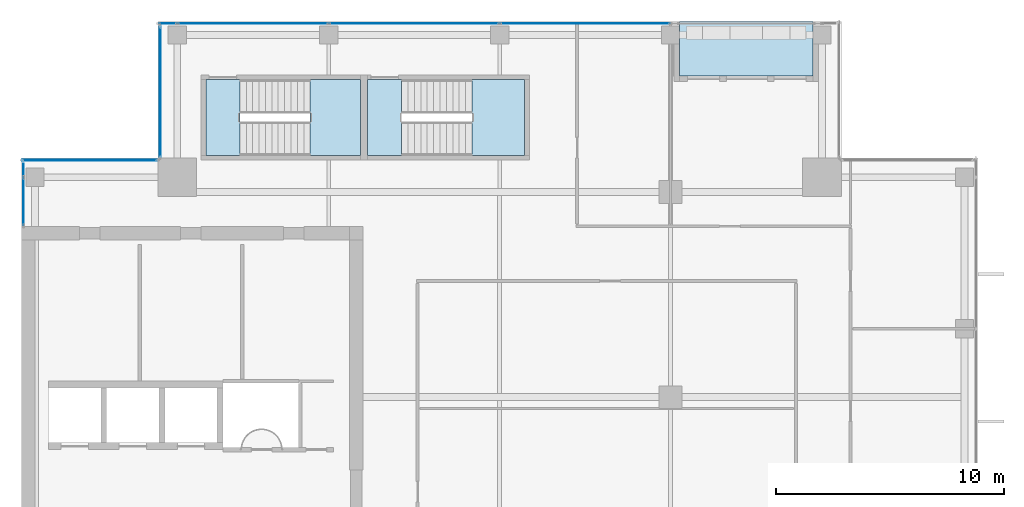
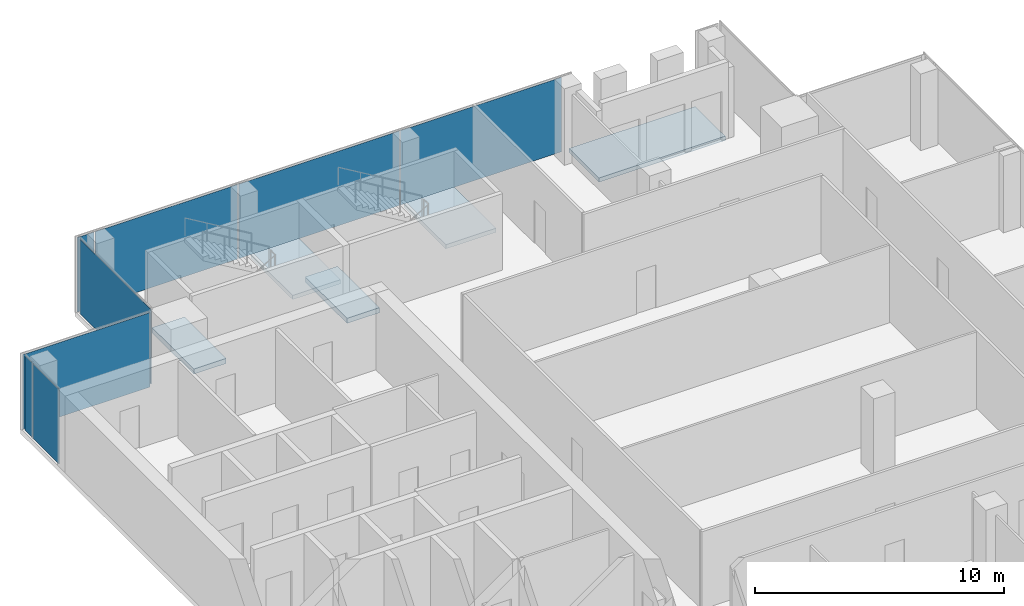
# One storey, part 22 of 29: 8 plates, 5 slabs, 6 elements without a shape of their own.
"""IFC4 building model written with IfcOpenShell, lengths in metres."""

from ifc_helpers import new_model, si_unit, direction, frame, origin, origin_2d, place, context, subcontext, project, spatial, polyline, rectangle, outline, extrude, source, transform, mapped, material, layer, layer_set, type_object, element, aggregate, save


model = new_model("IFC4")

# Units and contexts
model_context = context("Model", 3, precision=1e-05, world=origin(), true_north=direction((0.0, 1.0)))
body_context = subcontext(model_context, "Body", "Model", "MODEL_VIEW")
ifc_project = project(units=[si_unit("LENGTHUNIT", "METRE"), si_unit("AREAUNIT", "SQUARE_METRE"), si_unit("VOLUMEUNIT", "CUBIC_METRE"), si_unit("PLANEANGLEUNIT", "RADIAN"), si_unit("MASSUNIT", "GRAM", prefix="KILO")], contexts=[model_context])

# Site, building, storey
site_placement = place(None, origin())
site = spatial("IfcSite", under=ifc_project, at=site_placement, CompositionType="ELEMENT")
building_placement = place(site_placement, origin())
building = spatial("IfcBuilding", under=site, at=building_placement, Name="Khomas Fold Tower", CompositionType="ELEMENT")
storey_placement = place(building_placement, frame((0.0, 0.0, 286.199951171875)))
storey = spatial("IfcBuildingStorey", under=building, at=storey_placement, Name="L64", CompositionType="ELEMENT", Elevation=286.199951171875)

# Curtain wall, plate
ifc_material_1 = material(Name="Aluminium framed double glazing", Category="aluminium")
curtain_wall_type = type_object("IfcCurtainWallType", Name="SK-Unitised clear-glass wall, upper floors CW3", PredefinedType="NOTDEFINED", material=ifc_material_1)
curtain_wall_1_placement = place(storey_placement, origin())
curtain_wall_1 = element("IfcCurtainWall", 1, at=curtain_wall_1_placement, inside=storey, type_object=curtain_wall_type, Name="CW3 run L64 09-0", PredefinedType="NOTDEFINED")
ifc_material_2 = material(Name="Clear double glazed unit")
ifc_layer_1 = layer(ifc_material_2, 0.028076171875)
ifc_layer_set_1 = layer_set([ifc_layer_1], Name="Clear double glazed unit")
plate_type = type_object("IfcPlateType", Name="SK-Unitised clear-glass wall, upper floors glass panel CW3-P", PredefinedType="CURTAIN_PANEL", material=ifc_layer_set_1)
shared_shape_1 = source(origin(), body_context, "Body", "SweptSolid", [
    extrude(rectangle(XDim=0.574951171875, YDim=0.028076171875, at=origin_2d()), origin(), (0.0, 0.0, 1.0), 3.64990234375),
])
plate_1_placement = place(storey_placement, frame((6.10009765625, 41.46240234375, 0.0), z_axis=(0.0, 0.0, 1.0), x_axis=(0.0, -1.0, 0.0)))
plate_1 = element("IfcPlate", 2, at=plate_1_placement, type_object=plate_type, Name="CW3 glass panel 1", PredefinedType="CURTAIN_PANEL", context=body_context, shape_type="MappedRepresentation", body=[
    mapped(shared_shape_1, transform((0.0, 0.0, 0.0))),
])

# Curtain wall, plates
curtain_wall_2_placement = place(storey_placement, origin())
curtain_wall_2 = element("IfcCurtainWall", 3, at=curtain_wall_2_placement, inside=storey, type_object=curtain_wall_type, Name="CW3 run L64 06-1", PredefinedType="NOTDEFINED")
shared_shape_2 = source(origin(), body_context, "Body", "SweptSolid", [
    extrude(rectangle(XDim=6.60009765625, YDim=0.028076171875, at=origin_2d()), origin(), (0.0, 0.0, 1.0), 3.64990234375),
])
plate_2_placement = place(storey_placement, frame((16.175048828125, 47.89990234375, 0.0), z_axis=(0.0, 0.0, 1.0), x_axis=(-1.0, 0.0, 0.0)))
plate_2 = element("IfcPlate", 4, at=plate_2_placement, type_object=plate_type, Name="CW3 glass panel 4", PredefinedType="CURTAIN_PANEL", context=body_context, shape_type="MappedRepresentation", body=[
    mapped(shared_shape_2, transform((0.0, 0.0, 0.0))),
])
shared_shape_3 = source(origin(), body_context, "Body", "SweptSolid", [
    extrude(rectangle(XDim=7.449951171875, YDim=0.028076171875, at=origin_2d()), origin(), (0.0, 0.0, 1.0), 3.64990234375),
])
plate_3_placement = place(storey_placement, frame((30.75, 47.89990234375, 0.0), z_axis=(0.0, 0.0, 1.0), x_axis=(-1.0, 0.0, 0.0)))
plate_3 = element("IfcPlate", 5, at=plate_3_placement, type_object=plate_type, Name="CW3 glass panel 2", PredefinedType="CURTAIN_PANEL", context=body_context, shape_type="MappedRepresentation", body=[
    mapped(shared_shape_3, transform((0.0, 0.0, 0.0))),
])
plate_4_placement = place(storey_placement, frame((23.25, 47.89990234375, 0.0), z_axis=(0.0, 0.0, 1.0), x_axis=(-1.0, 0.0, 0.0)))
plate_4 = element("IfcPlate", 6, at=plate_4_placement, type_object=plate_type, Name="CW3 glass panel 3", PredefinedType="CURTAIN_PANEL", context=body_context, shape_type="MappedRepresentation", body=[
    mapped(shared_shape_3, transform((0.0, 0.0, 0.0))),
])
shared_shape_4 = source(origin(), body_context, "Body", "SweptSolid", [
    extrude(rectangle(XDim=0.77490234375, YDim=0.028076171875, at=origin_2d()), origin(), (0.0, 0.0, 1.0), 3.64990234375),
])
plate_5_placement = place(storey_placement, frame((12.4375, 47.89990234375, 0.0), z_axis=(0.0, 0.0, 1.0), x_axis=(-1.0, 0.0, 0.0)))
plate_5 = element("IfcPlate", 7, at=plate_5_placement, type_object=plate_type, Name="CW3 glass panel 5", PredefinedType="CURTAIN_PANEL", context=body_context, shape_type="MappedRepresentation", body=[
    mapped(shared_shape_4, transform((0.0, 0.0, 0.0))),
])
aggregate(curtain_wall_2, [plate_3, plate_4, plate_2, plate_5])

# Curtain wall, plate
curtain_wall_3_placement = place(storey_placement, origin())
curtain_wall_3 = element("IfcCurtainWall", 8, at=curtain_wall_3_placement, inside=storey, type_object=curtain_wall_type, Name="CW3 corner return L64 07", PredefinedType="NOTDEFINED")
shared_shape_5 = source(origin(), body_context, "Body", "SweptSolid", [
    extrude(rectangle(XDim=5.699951171875, YDim=0.028076171875, at=origin_2d()), origin(), (0.0, 0.0, 1.0), 3.64990234375),
])
plate_6_placement = place(storey_placement, frame((12.10009765625, 44.89990234375, 0.0), z_axis=(0.0, 0.0, 1.0), x_axis=(0.0, -1.0, 0.0)))
plate_6 = element("IfcPlate", 9, at=plate_6_placement, type_object=plate_type, Name="CW3 glass panel 1", PredefinedType="CURTAIN_PANEL", context=body_context, shape_type="MappedRepresentation", body=[
    mapped(shared_shape_5, transform((0.0, 0.0, 0.0))),
])
aggregate(curtain_wall_3, [plate_6])

curtain_wall_4_placement = place(storey_placement, origin())
curtain_wall_4 = element("IfcCurtainWall", 10, at=curtain_wall_4_placement, inside=storey, type_object=curtain_wall_type, Name="CW3 corner return L64 08", PredefinedType="NOTDEFINED")
shared_shape_6 = source(origin(), body_context, "Body", "SweptSolid", [
    extrude(rectangle(XDim=5.89990234375, YDim=0.028076171875, at=origin_2d()), origin(), (0.0, 0.0, 1.0), 3.64990234375),
])
plate_7_placement = place(storey_placement, frame((9.0, 41.89990234375, 0.0), z_axis=(0.0, 0.0, 1.0), x_axis=(-1.0, 0.0, 0.0)))
plate_7 = element("IfcPlate", 11, at=plate_7_placement, type_object=plate_type, Name="CW3 glass panel 1", PredefinedType="CURTAIN_PANEL", context=body_context, shape_type="MappedRepresentation", body=[
    mapped(shared_shape_6, transform((0.0, 0.0, 0.0))),
])
aggregate(curtain_wall_4, [plate_7])

# Plate
shared_shape_7 = source(origin(), body_context, "Body", "SweptSolid", [
    extrude(rectangle(XDim=2.074951171875, YDim=0.028076171875, at=origin_2d()), origin(), (0.0, 0.0, 1.0), 3.64990234375),
])
plate_8_placement = place(storey_placement, frame((6.10009765625, 40.08740234375, 0.0), z_axis=(0.0, 0.0, 1.0), x_axis=(0.0, -1.0, 0.0)))
plate_8 = element("IfcPlate", 12, at=plate_8_placement, type_object=plate_type, Name="CW3 glass panel 2", PredefinedType="CURTAIN_PANEL", context=body_context, shape_type="MappedRepresentation", body=[
    mapped(shared_shape_7, transform((0.0, 0.0, 0.0))),
])

aggregate(curtain_wall_1, [plate_1, plate_8])

# Slab
ifc_material_3 = material(Name="Concrete C40/50", Category="concrete")
ifc_layer_2 = layer(ifc_material_3, 0.205078125)
ifc_layer_set_2 = layer_set([ifc_layer_2], Name="Concrete C40/50")
slab_type_1 = type_object("IfcSlabType", Name="BL-Balcony deck 205", PredefinedType="FLOOR", material=ifc_layer_set_2)
shared_shape_8 = source(origin(), body_context, "Body", "SweptSolid", [
    extrude(outline(polyline([(34.89990234375, 45.60009765625), (40.75, 45.60009765625), (40.75, 48.0), (34.89990234375, 48.0), (34.89990234375, 45.60009765625)])), origin(), (0.0, 0.0, 1.0), 0.205078125),
])
slab_1_placement = place(storey_placement, frame((0.0, 0.0, -0.25)))
element("IfcSlab", 13, at=slab_1_placement, inside=storey, type_object=slab_type_1, Name="Balcony deck BAL-L64-N4", PredefinedType="FLOOR", context=body_context, shape_type="MappedRepresentation", body=[
    mapped(shared_shape_8, transform((0.0, 0.0, 0.0))),
])

# Stair, slab
ifc_material_4 = material(Name="Concrete C40/50", Category="concrete")
stair_type_1 = type_object("IfcStairType", Name="Stair ST1", PredefinedType="HALF_TURN_STAIR", material=ifc_material_4)
stair_1_placement = place(storey_placement, origin())
stair_1 = element("IfcStair", 14, at=stair_1_placement, inside=storey, type_object=stair_type_1, Name="L64 ST1", PredefinedType="HALF_TURN_STAIR")
ifc_material_5 = material(Name="Concrete C40/50", Category="concrete")
ifc_layer_3 = layer(ifc_material_5, 0.199951171875)
ifc_layer_set_3 = layer_set([ifc_layer_3], Name="Concrete C40/50")
slab_type_2 = type_object("IfcSlabType", Name="Stair landing 200", PredefinedType="LANDING", material=ifc_layer_set_3)
shared_shape_9 = source(origin(), body_context, "Body", "SweptSolid", [
    extrude(outline(polyline([(18.679931640625, 42.10009765625), (20.89990234375, 42.10009765625), (20.89990234375, 45.449951171875), (18.679931640625, 45.449951171875), (18.679931640625, 42.10009765625)])), origin(), (0.0, 0.0, 1.0), 0.199951171875),
])
slab_2_placement = place(storey_placement, frame((0.0, 0.0, 1.800048828125)))
slab_2 = element("IfcSlab", 15, at=slab_2_placement, type_object=slab_type_2, Name="ST1 landing 1", PredefinedType="LANDING", context=body_context, shape_type="MappedRepresentation", body=[
    mapped(shared_shape_9, transform((0.0, 0.0, 0.0))),
])
aggregate(stair_1, [slab_2])

# Slab
ifc_material_6 = material(Name="Concrete C40/50", Category="concrete")
ifc_layer_4 = layer(ifc_material_6, 0.25)
ifc_layer_set_4 = layer_set([ifc_layer_4], Name="Concrete C40/50")
slab_type_3 = type_object("IfcSlabType", Name="Stair floor landing 250", PredefinedType="LANDING", material=ifc_layer_set_4)
shared_shape_10 = source(origin(), body_context, "Body", "SweptSolid", [
    extrude(outline(polyline([(15.60009765625, 42.10009765625), (14.10009765625, 42.10009765625), (14.10009765625, 45.449951171875), (15.60009765625, 45.449951171875), (15.60009765625, 42.10009765625)])), origin(), (0.0, 0.0, 1.0), 0.25),
])
slab_3_placement = place(storey_placement, frame((0.0, 0.0, -0.25)))
element("IfcSlab", 16, at=slab_3_placement, inside=storey, type_object=slab_type_3, Name="ST1 floor landing", PredefinedType="LANDING", context=body_context, shape_type="MappedRepresentation", body=[
    mapped(shared_shape_10, transform((0.0, 0.0, 0.0))),
])

# Stair, slab
ifc_material_7 = material(Name="Concrete C40/50", Category="concrete")
stair_type_2 = type_object("IfcStairType", Name="Stair ST3", PredefinedType="HALF_TURN_STAIR", material=ifc_material_7)
stair_2_placement = place(storey_placement, origin())
stair_2 = element("IfcStair", 17, at=stair_2_placement, inside=storey, type_object=stair_type_2, Name="L64 ST3", PredefinedType="HALF_TURN_STAIR")
shared_shape_11 = source(origin(), body_context, "Body", "SweptSolid", [
    extrude(outline(polyline([(25.780029296875, 42.10009765625), (28.10009765625, 42.10009765625), (28.10009765625, 45.449951171875), (25.780029296875, 45.449951171875), (25.780029296875, 42.10009765625)])), origin(), (0.0, 0.0, 1.0), 0.199951171875),
])
slab_4_placement = place(storey_placement, frame((0.0, 0.0, 1.800048828125)))
slab_4 = element("IfcSlab", 18, at=slab_4_placement, type_object=slab_type_2, Name="ST3 landing 1", PredefinedType="LANDING", context=body_context, shape_type="MappedRepresentation", body=[
    mapped(shared_shape_11, transform((0.0, 0.0, 0.0))),
])
aggregate(stair_2, [slab_4])

# Slab
shared_shape_12 = source(origin(), body_context, "Body", "SweptSolid", [
    extrude(outline(polyline([(22.699951171875, 42.10009765625), (21.199951171875, 42.10009765625), (21.199951171875, 45.449951171875), (22.699951171875, 45.449951171875), (22.699951171875, 42.10009765625)])), origin(), (0.0, 0.0, 1.0), 0.25),
])
slab_5_placement = place(storey_placement, frame((0.0, 0.0, -0.25)))
element("IfcSlab", 19, at=slab_5_placement, inside=storey, type_object=slab_type_3, Name="ST3 floor landing", PredefinedType="LANDING", context=body_context, shape_type="MappedRepresentation", body=[
    mapped(shared_shape_12, transform((0.0, 0.0, 0.0))),
])

save(model, "model.ifc")
